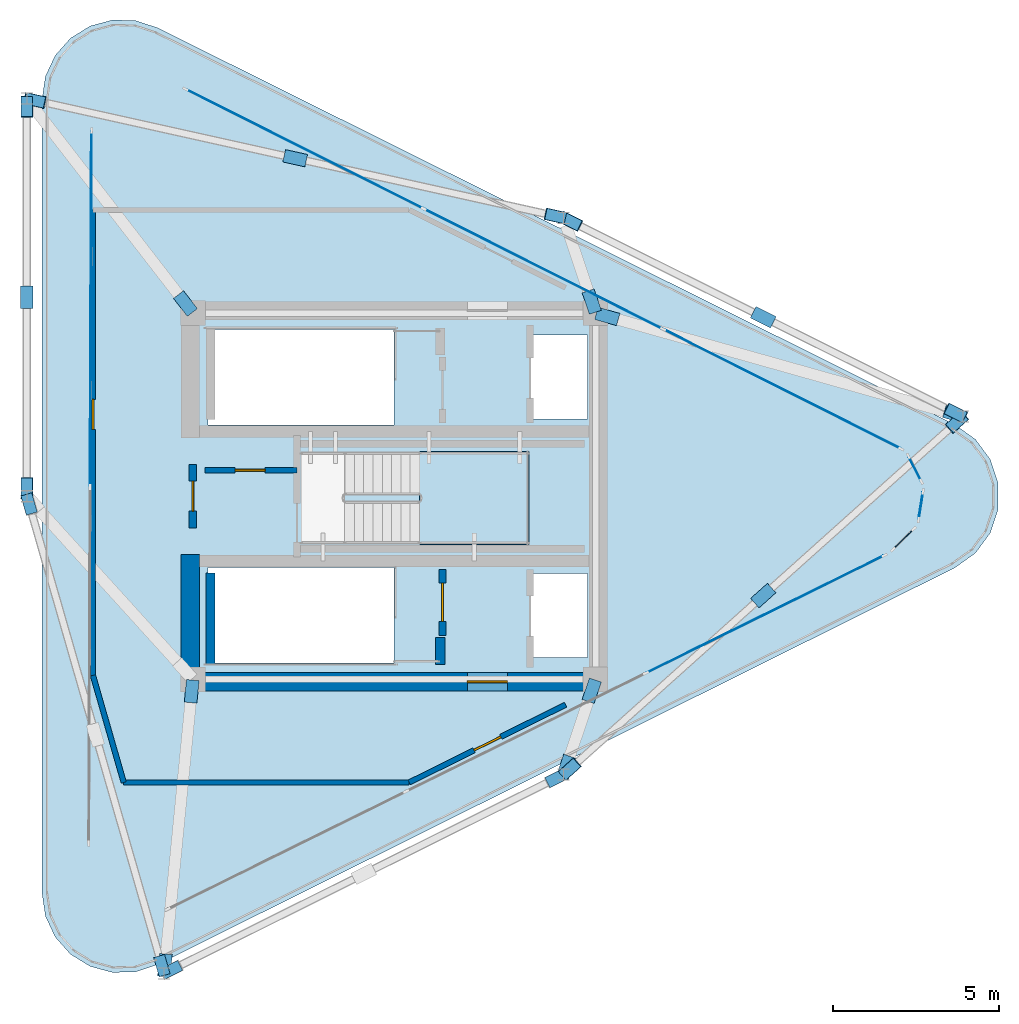
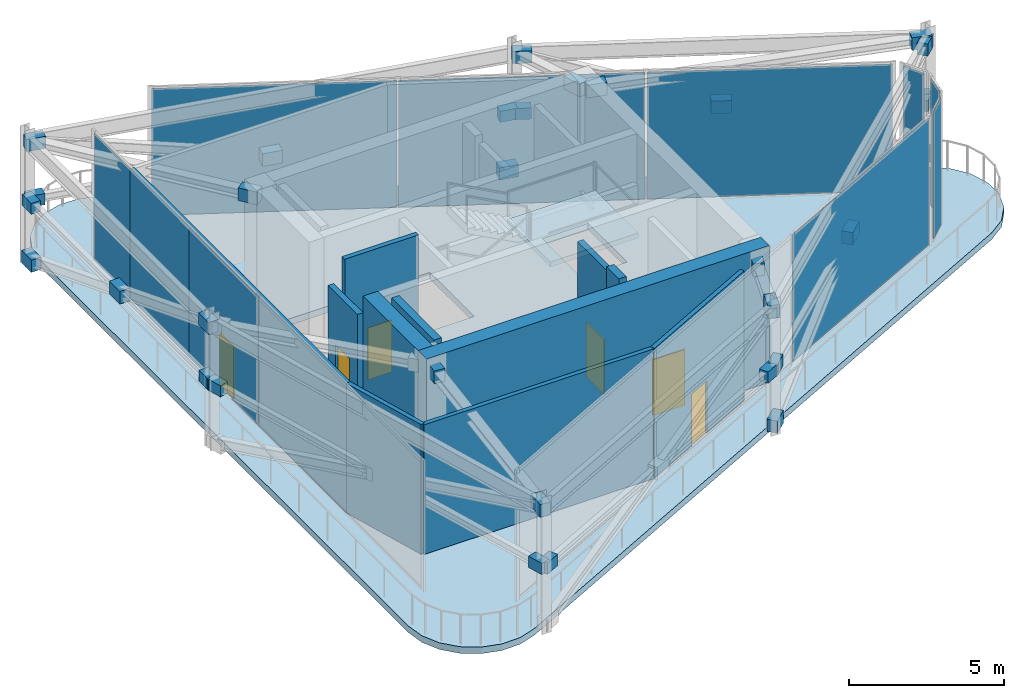
# One storey, part 3 of 7: 40 plates, 11 walls, 6 doors, 2 slabs, 6 openings, 7 elements without a shape of their own.
"""IFC4 building model written with IfcOpenShell, lengths in metres."""

from ifc_helpers import new_model, si_unit, direction, frame, frame_2d, origin, origin_2d, place, context, subcontext, project, spatial, polyline, rectangle, outline, extrude, source, transform, mapped, material, layer, layer_set, type_object, element, fill, aggregate, save


model = new_model("IFC4")

# Units and contexts
model_context = context("Model", 3, precision=1e-05, world=origin(), true_north=direction((0.0, 1.0)))
body_context = subcontext(model_context, "Body", "Model", "MODEL_VIEW")
ifc_project = project(units=[si_unit("LENGTHUNIT", "METRE"), si_unit("AREAUNIT", "SQUARE_METRE"), si_unit("VOLUMEUNIT", "CUBIC_METRE"), si_unit("PLANEANGLEUNIT", "RADIAN"), si_unit("MASSUNIT", "GRAM", prefix="KILO")], contexts=[model_context])

# Site, building, storey
site_placement = place(None, origin())
site = spatial("IfcSite", under=ifc_project, at=site_placement, CompositionType="ELEMENT")
building_placement = place(site_placement, origin())
building = spatial("IfcBuilding", under=site, at=building_placement, Name="Yunling Apex Tower", CompositionType="ELEMENT")
storey_placement = place(building_placement, frame((0.0, 0.0, 322.85009765625)))
storey = spatial("IfcBuildingStorey", under=building, at=storey_placement, Name="C02", CompositionType="ELEMENT", Elevation=322.85009765625)

# Slab
ifc_material_1 = material(Name="Concrete C40", Category="concrete")
ifc_layer_1 = layer(ifc_material_1, 0.260009765625)
ifc_layer_set_1 = layer_set([ifc_layer_1], Name="Concrete C40")
slab_type_1 = type_object("IfcSlabType", Name="SL-CRN-1", PredefinedType="FLOOR", material=ifc_layer_set_1)
slab_1_placement = place(storey_placement, frame((0.0, 0.0, -0.260009765625)))
element("IfcSlab", 1, at=slab_1_placement, inside=storey, type_object=slab_type_1, Name="C02 Crown Plant & Maintenance Slab", PredefinedType="FLOOR", context=body_context, shape_type="SweptSolid", body=[
    extrude(outline(polyline([(-10.581787109375, -11.924560546875), (-10.481201171875, -12.61181640625), (-10.188232421875, -13.241455078125), (-9.727294921875, -13.7607421875), (-9.13671875, -14.12646484375), (-8.46630859375, -14.3076171875), (-7.772216796875, -14.28955078125), (-7.1123046875, -14.0732421875), (16.846435546875, -2.148681640625), (17.462646484375, -1.70849609375), (17.9111328125, -1.09814453125), (18.14697265625, -0.378662109375), (18.14697265625, 0.378662109375), (17.9111328125, 1.09814453125), (17.462646484375, 1.70849609375), (16.846435546875, 2.148681640625), (-7.1123046875, 14.0732421875), (-7.772216796875, 14.28955078125), (-8.46630859375, 14.3076171875), (-9.13671875, 14.12646484375), (-9.727294921875, 13.7607421875), (-10.188232421875, 13.241455078125), (-10.481201171875, 12.61181640625), (-10.581787109375, 11.924560546875), (-10.581787109375, -11.924560546875)]), holes=[polyline([(4.090087890625, -4.840087890625), (4.090087890625, -2.320068359375), (5.81005859375, -2.320068359375), (5.81005859375, -4.840087890625), (4.090087890625, -4.840087890625)]), polyline([(4.090087890625, 2.320068359375), (4.090087890625, 4.840087890625), (5.81005859375, 4.840087890625), (5.81005859375, 2.320068359375), (4.090087890625, 2.320068359375)]), polyline([(-0.010009765625, -2.139892578125), (-0.010009765625, -5.010009765625), (-5.60009765625, -5.010009765625), (-5.60009765625, -2.139892578125), (-0.010009765625, -2.139892578125)]), polyline([(-0.010009765625, 5.010009765625), (-0.010009765625, 2.139892578125), (-5.60009765625, 2.139892578125), (-5.60009765625, 5.010009765625), (-0.010009765625, 5.010009765625)])]), origin(), (0.0, 0.0, 1.0), 0.260009765625),
])

# Stair, slab
stair_type = type_object("IfcStairType", Name="ST-CRN-1", PredefinedType="STRAIGHT_RUN_STAIR", material=ifc_material_1)
stair_placement = place(storey_placement, origin())
stair = element("IfcStair", 2, at=stair_placement, inside=storey, type_object=stair_type, Name="C02 Crown Maintenance Access Stair ST-C1", PredefinedType="HALF_TURN_STAIR")
ifc_layer_2 = layer(ifc_material_1, 0.195068359375)
ifc_layer_set_2 = layer_set([ifc_layer_2], Name="Concrete C40")
slab_type_2 = type_object("IfcSlabType", Name="SL-LND-1", PredefinedType="LANDING", material=ifc_layer_set_2)
slab_2_placement = place(storey_placement, frame((0.0, 0.0, 3.85498046875)))
slab_2 = element("IfcSlab", 3, at=slab_2_placement, type_object=slab_type_2, Name="ST-C1 landing 3", PredefinedType="LANDING", context=body_context, shape_type="SweptSolid", body=[
    extrude(outline(polyline([(0.760009765625, -1.449951171875), (4.050048828125, -1.449951171875), (4.050048828125, 1.340087890625), (0.760009765625, 1.340087890625), (0.760009765625, -1.449951171875)])), origin(), (0.0, 0.0, 1.0), 0.19482421875),
])
aggregate(stair, [slab_2])

# Plates
ifc_material_2 = material(Name="Steel Q355B", Category="steel")
ifc_layer_3 = layer(ifc_material_2, 0.031982421875)
ifc_layer_set_3 = layer_set([ifc_layer_3], Name="Steel Q355B")
plate_type_1 = type_object("IfcPlateType", Name="NP-GUS-2", PredefinedType="USERDEFINED", material=ifc_layer_set_3)
shared_shape_1 = source(origin(), body_context, "Body", "SweptSolid", [
    extrude(rectangle(XDim=0.64990234375, YDim=0.360107421875, at=origin_2d()), origin(), (0.0, 0.0, 1.0), 0.47998046875),
])
for number, where, z_axis, x_axis, name in (
    (4, (5.2666015625, -8.20263671875, 0.059814453125), (0.0, 0.0, 1.0), (0.744661120495, 0.66744274333, 0.0), "C02 Crown Rafter Foot Gusset Plate 390"),
    (5, (16.906494140625, 2.22998046875, 4.5498046875), (0.0, 0.0, 1.0), (0.744661120495, 0.66744274333, 0.0), "C02 Crown Rafter Head Gusset Plate 391"),
    (6, (16.8701171875, 2.499267578125, 0.059814453125), (0.0, 0.0, 1.0), (-0.895245648325, 0.445572922377, 0.0), "C02 Crown Rafter Foot Gusset Plate 397"),
    (7, (5.302978515625, 8.25634765625, 4.5498046875), (0.0, 0.0, 1.0), (-0.895245648325, 0.445572922377, 0.0), "C02 Crown Rafter Head Gusset Plate 398"),
    (8, (4.85009765625, 8.41650390625, 0.059814453125), (0.0, 0.0, 1.0), (-0.976220395964, 0.216780392341, 0.0), "C02 Crown Rafter Foot Gusset Plate 404"),
    (9, (-10.801025390625, 11.892822265625, 4.5498046875), (0.0, 0.0, 1.0), (-0.976220395964, 0.216780392341, 0.0), "C02 Crown Rafter Head Gusset Plate 405"),
    (10, (-11.037353515625, 11.703369140625, 0.059814453125), (0.0, 0.0, 1.0), (0.0, -1.0, 0.0), "C02 Crown Rafter Foot Gusset Plate 410"),
    (11, (-11.037353515625, 0.241943359375, 4.5498046875), (0.0, 0.0, 1.0), (0.0, -1.0, 0.0), "C02 Crown Rafter Head Gusset Plate 411"),
):
    element("IfcPlate", number, at=place(storey_placement, frame(where, z_axis=z_axis, x_axis=x_axis)), inside=storey, type_object=plate_type_1, Name=name, ObjectType="GUSSET_PLATE", PredefinedType="USERDEFINED", context=body_context, shape_type="MappedRepresentation", body=[
        mapped(shared_shape_1, transform((0.0, 0.0, 0.0), scale=1.0)),
    ])
shared_shape_2 = source(origin(), body_context, "Body", "SweptSolid", [
    extrude(rectangle(XDim=0.679931640625, YDim=0.3798828125, at=origin_2d()), origin(), (0.0, 0.0, 1.0), 0.5),
])
for number, where, z_axis, x_axis, name in (
    (12, (-6.08544921875, -5.86328125, 4.58984375), (0.0, 0.0, 1.0), (-0.097235493922, -0.995261402206, 0.0), "C02 Crown Tie Strut Core Gusset Plate 388"),
    (13, (-6.890380859375, -14.095703125, 4.58984375), (0.0, 0.0, 1.0), (-0.097235493922, -0.995261402206, 0.0), "C02 Crown Tie Strut Perimeter Gusset Plate 389"),
    (14, (11.08642578125, -2.986328125, 2.294921875), (0.0, 0.0, 1.0), (0.744661120495, 0.66744274333, 0.0), "C02 Crown Rafter-Purlin Midpoint Gusset Plate 392"),
    (15, (5.93359375, -5.845947265625, 4.58984375), (0.0, 0.0, 1.0), (-0.318959309298, -0.94776841001, 0.0), "C02 Crown Tie Strut Core Gusset Plate 395"),
    (16, (5.16357421875, -8.134765625, 4.58984375), (0.0, 0.0, 1.0), (-0.318959309298, -0.94776841001, 0.0), "C02 Crown Tie Strut Perimeter Gusset Plate 396"),
    (17, (11.08642578125, 5.377685546875, 2.294921875), (0.0, 0.0, 1.0), (-0.895245648325, 0.445572922377, 0.0), "C02 Crown Rafter-Purlin Midpoint Gusset Plate 399"),
    (18, (6.4013671875, 5.40087890625, 4.58984375), (0.0, 0.0, 1.0), (0.962549928407, -0.271104473079, 0.0), "C02 Crown Tie Strut Core Gusset Plate 402"),
    (19, (16.853759765625, 2.45703125, 4.58984375), (0.0, 0.0, 1.0), (0.962549928407, -0.271104473079, 0.0), "C02 Crown Tie Strut Perimeter Gusset Plate 403"),
    (20, (-2.9755859375, 10.15478515625, 2.294921875), (0.0, 0.0, 1.0), (-0.976220395964, 0.216780392341, 0.0), "C02 Crown Rafter-Purlin Midpoint Gusset Plate 406"),
    (21, (5.93359375, 5.845947265625, 4.58984375), (0.0, 0.0, 1.0), (-0.318959309298, 0.94776841001, 0.0), "C02 Crown Tie Strut Core Gusset Plate 409"),
    (22, (-11.037353515625, 5.97265625, 2.294921875), (0.0, 0.0, 1.0), (0.0, -1.0, 0.0), "C02 Crown Rafter-Purlin Midpoint Gusset Plate 412"),
    (23, (-6.2734375, 5.788818359375, 4.58984375), (0.0, 0.0, 1.0), (-0.611941240013, 0.790903229713, 0.0), "C02 Crown Tie Strut Core Gusset Plate 415"),
):
    element("IfcPlate", number, at=place(storey_placement, frame(where, z_axis=z_axis, x_axis=x_axis)), inside=storey, type_object=plate_type_1, Name=name, ObjectType="GUSSET_PLATE", PredefinedType="USERDEFINED", context=body_context, shape_type="MappedRepresentation", body=[
        mapped(shared_shape_2, transform((0.0, 0.0, 0.0), scale=1.0)),
    ])
shared_shape_3 = source(origin(), body_context, "Body", "SweptSolid", [
    extrude(rectangle(XDim=0.60009765625, YDim=0.340087890625, at=origin_2d()), origin(), (0.0, 0.0, 1.0), 0.43994140625),
])
for number, where, z_axis, x_axis, name in (
    (24, (-6.697509765625, -14.22900390625, 2.324951171875), (0.0, 0.0, 1.0), (0.895245648325, 0.445572922377, 0.0), "C02 Crown Purlin Column Gusset Plate 386"),
    (25, (4.86962890625, -8.471923828125, 2.324951171875), (0.0, 0.0, 1.0), (0.895245648325, 0.445572922377, 0.0), "C02 Crown Purlin Column Gusset Plate 387"),
    (26, (5.2666015625, -8.20263671875, 2.324951171875), (0.0, 0.0, 1.0), (0.744661120495, 0.66744274333, 0.0), "C02 Crown Purlin Column Gusset Plate 393"),
    (27, (16.906494140625, 2.22998046875, 2.324951171875), (0.0, 0.0, 1.0), (0.744661120495, 0.66744274333, 0.0), "C02 Crown Purlin Column Gusset Plate 394"),
    (28, (16.8701171875, 2.499267578125, 2.324951171875), (0.0, 0.0, 1.0), (-0.895245648325, 0.445572922377, 0.0), "C02 Crown Purlin Column Gusset Plate 400"),
    (29, (5.302978515625, 8.25634765625, 2.324951171875), (0.0, 0.0, 1.0), (-0.895245648325, 0.445572922377, 0.0), "C02 Crown Purlin Column Gusset Plate 401"),
    (30, (4.85009765625, 8.41650390625, 2.324951171875), (0.0, 0.0, 1.0), (-0.976220395964, 0.216780392341, 0.0), "C02 Crown Purlin Column Gusset Plate 407"),
    (31, (-10.801025390625, 11.892822265625, 2.324951171875), (0.0, 0.0, 1.0), (-0.976220395964, 0.216780392341, 0.0), "C02 Crown Purlin Column Gusset Plate 408"),
    (32, (-11.037353515625, 11.703369140625, 2.324951171875), (0.0, 0.0, 1.0), (0.0, -1.0, 0.0), "C02 Crown Purlin Column Gusset Plate 413"),
    (33, (-11.037353515625, 0.241943359375, 2.324951171875), (0.0, 0.0, 1.0), (0.0, -1.0, 0.0), "C02 Crown Purlin Column Gusset Plate 414"),
    (34, (-10.970458984375, -0.232666015625, 2.324951171875), (0.0, 0.0, 1.0), (0.276476109834, -0.961020790978, 0.0), "C02 Crown Purlin Column Gusset Plate 418"),
    (35, (-6.98095703125, -14.10400390625, 2.324951171875), (0.0, 0.0, 1.0), (0.276476109834, -0.961020790978, 0.0), "C02 Crown Purlin Column Gusset Plate 419"),
):
    element("IfcPlate", number, at=place(storey_placement, frame(where, z_axis=z_axis, x_axis=x_axis)), inside=storey, type_object=plate_type_1, Name=name, ObjectType="GUSSET_PLATE", PredefinedType="USERDEFINED", context=body_context, shape_type="MappedRepresentation", body=[
        mapped(shared_shape_3, transform((0.0, 0.0, 0.0), scale=1.0)),
    ])

# Curtain wall, plate
ifc_material_3 = material(Name="Bronze anodised aluminium", Category="aluminium")
ifc_layer_4 = layer(ifc_material_3, 0.179931640625)
ifc_layer_set_4 = layer_set([ifc_layer_4], Name="Bronze anodised aluminium")
curtain_wall_type = type_object("IfcCurtainWallType", Name="CW-SYS-6", PredefinedType="NOTDEFINED", material=ifc_layer_set_4)
curtain_wall_1_placement = place(storey_placement, origin())
curtain_wall_1 = element("IfcCurtainWall", 36, at=curtain_wall_1_placement, inside=storey, type_object=curtain_wall_type, Name="CW-C02-01", PredefinedType="NOTDEFINED")
ifc_material_4 = material(Name="Bronze fritted laminated crown glass", Category="glass")
ifc_layer_5 = layer(ifc_material_4, 0.02587890625)
ifc_layer_set_5 = layer_set([ifc_layer_5], Name="Bronze fritted laminated crown glass")
plate_type_2 = type_object("IfcPlateType", Name="CW-PNL-6", PredefinedType="CURTAIN_PANEL", material=ifc_layer_set_5)
shared_shape_4 = source(origin(), body_context, "Body", "SweptSolid", [
    extrude(rectangle(XDim=10.656494140625, YDim=0.02587890625, at=origin_2d()), origin(), (0.0, 0.0, 1.0), 5.005615234375),
])
plate_1_placement = place(storey_placement, frame((-9.115478515625, 5.636962890625, 0.06689453125), z_axis=(0.0, 0.0, 1.0), x_axis=(0.003747590734, 0.999992977757, 0.0)))
plate_1 = element("IfcPlate", 37, at=plate_1_placement, type_object=plate_type_2, Name="CW-SYS-6 panel 2.1", PredefinedType="CURTAIN_PANEL", context=body_context, shape_type="MappedRepresentation", body=[
    mapped(shared_shape_4, transform((0.0, 0.0, 0.0), scale=1.0)),
])
aggregate(curtain_wall_1, [plate_1])

# Curtain wall, plates
curtain_wall_2_placement = place(storey_placement, origin())
curtain_wall_2 = element("IfcCurtainWall", 38, at=curtain_wall_2_placement, inside=storey, type_object=curtain_wall_type, Name="CW-C02-05", PredefinedType="NOTDEFINED")
shared_shape_5 = source(origin(), body_context, "Body", "SweptSolid", [
    extrude(rectangle(XDim=7.951904296875, YDim=0.02587890625, at=origin_2d()), origin(), (0.0, 0.0, 1.0), 5.005615234375),
])
plate_2_placement = place(storey_placement, frame((-2.697021484375, 10.433837890625, 0.06689453125), z_axis=(0.0, 0.0, 1.0), x_axis=(0.893466838495, -0.449129166844, 0.0)))
plate_2 = element("IfcPlate", 39, at=plate_2_placement, type_object=plate_type_2, Name="CW-SYS-6 panel 1.1", PredefinedType="CURTAIN_PANEL", context=body_context, shape_type="MappedRepresentation", body=[
    mapped(shared_shape_5, transform((0.0, 0.0, 0.0), scale=1.0)),
])
plate_3_placement = place(storey_placement, frame((11.652587890625, 3.220458984375, 0.06689453125), z_axis=(0.0, 0.0, 1.0), x_axis=(0.893466838495, -0.449129166844, 0.0)))
plate_3 = element("IfcPlate", 40, at=plate_3_placement, type_object=plate_type_2, Name="CW-SYS-6 panel 3.1", PredefinedType="CURTAIN_PANEL", context=body_context, shape_type="MappedRepresentation", body=[
    mapped(shared_shape_5, transform((0.0, 0.0, 0.0), scale=1.0)),
])
shared_shape_6 = source(origin(), body_context, "Body", "SweptSolid", [
    extrude(rectangle(XDim=7.989501953125, YDim=0.02587890625, at=origin_2d()), origin(), (0.0, 0.0, 1.0), 5.005615234375),
])
plate_4_placement = place(storey_placement, frame((4.477783203125, 6.8271484375, 0.06689453125), z_axis=(0.0, 0.0, 1.0), x_axis=(0.893466838495, -0.449129166844, 0.0)))
plate_4 = element("IfcPlate", 41, at=plate_4_placement, type_object=plate_type_2, Name="CW-SYS-6 panel 2.1", PredefinedType="CURTAIN_PANEL", context=body_context, shape_type="MappedRepresentation", body=[
    mapped(shared_shape_6, transform((0.0, 0.0, 0.0), scale=1.0)),
])
aggregate(curtain_wall_2, [plate_2, plate_4, plate_3])

# Curtain wall, plate
curtain_wall_3_placement = place(storey_placement, origin())
curtain_wall_3 = element("IfcCurtainWall", 42, at=curtain_wall_3_placement, inside=storey, type_object=curtain_wall_type, Name="CW-C02-06", PredefinedType="NOTDEFINED")
shared_shape_7 = source(origin(), body_context, "Body", "SweptSolid", [
    extrude(rectangle(XDim=0.807861328125, YDim=0.02587890625, at=origin_2d()), origin(), (0.0, 0.0, 1.0), 5.005615234375),
])
plate_5_placement = place(storey_placement, frame((15.642822265625, 0.824951171875, 0.06689453125), z_axis=(0.0, 0.0, 1.0), x_axis=(0.457582978226, -0.889166923608, 0.0)))
plate_5 = element("IfcPlate", 43, at=plate_5_placement, type_object=plate_type_2, Name="CW-SYS-6 panel 1.1", PredefinedType="CURTAIN_PANEL", context=body_context, shape_type="MappedRepresentation", body=[
    mapped(shared_shape_7, transform((0.0, 0.0, 0.0), scale=1.0)),
])
aggregate(curtain_wall_3, [plate_5])

curtain_wall_4_placement = place(storey_placement, origin())
curtain_wall_4 = element("IfcCurtainWall", 44, at=curtain_wall_4_placement, inside=storey, type_object=curtain_wall_type, Name="CW-C02-07", PredefinedType="NOTDEFINED")
plate_6_placement = place(storey_placement, frame((15.820068359375, -0.284423828125, 0.06689453125), z_axis=(0.0, 0.0, 1.0), x_axis=(-0.157787710703, -0.987473057025, 0.0)))
plate_6 = element("IfcPlate", 45, at=plate_6_placement, type_object=plate_type_2, Name="CW-SYS-6 panel 1.1", PredefinedType="CURTAIN_PANEL", context=body_context, shape_type="MappedRepresentation", body=[
    mapped(shared_shape_7, transform((0.0, 0.0, 0.0), scale=1.0)),
])
aggregate(curtain_wall_4, [plate_6])

curtain_wall_5_placement = place(storey_placement, origin())
curtain_wall_5 = element("IfcCurtainWall", 46, at=curtain_wall_5_placement, inside=storey, type_object=curtain_wall_type, Name="CW-C02-08", PredefinedType="NOTDEFINED")
shared_shape_8 = source(origin(), body_context, "Body", "SweptSolid", [
    extrude(rectangle(XDim=0.82373046875, YDim=0.02587890625, at=origin_2d()), origin(), (0.0, 0.0, 1.0), 5.005615234375),
])
plate_7_placement = place(storey_placement, frame((15.29931640625, -1.2880859375, 0.06689453125), z_axis=(0.0, 0.0, 1.0), x_axis=(-0.713340092352, -0.700818031048, 0.0)))
plate_7 = element("IfcPlate", 47, at=plate_7_placement, type_object=plate_type_2, Name="CW-SYS-6 panel 1.1", PredefinedType="CURTAIN_PANEL", context=body_context, shape_type="MappedRepresentation", body=[
    mapped(shared_shape_8, transform((0.0, 0.0, 0.0), scale=1.0)),
])
aggregate(curtain_wall_5, [plate_7])

curtain_wall_6_placement = place(storey_placement, origin())
curtain_wall_6 = element("IfcCurtainWall", 48, at=curtain_wall_6_placement, inside=storey, type_object=curtain_wall_type, Name="CW-C02-09", PredefinedType="NOTDEFINED")
shared_shape_9 = source(origin(), body_context, "Body", "SweptSolid", [
    extrude(rectangle(XDim=7.935546875, YDim=0.02587890625, at=origin_2d()), origin(), (0.0, 0.0, 1.0), 5.005615234375),
])
plate_8_placement = place(storey_placement, frame((11.14599609375, -3.546875, 0.06689453125), z_axis=(0.0, 0.0, 1.0), x_axis=(-0.896735689111, -0.442566496556, 0.0)))
plate_8 = element("IfcPlate", 49, at=plate_8_placement, type_object=plate_type_2, Name="CW-SYS-6 panel 1.1", PredefinedType="CURTAIN_PANEL", context=body_context, shape_type="MappedRepresentation", body=[
    mapped(shared_shape_9, transform((0.0, 0.0, 0.0), scale=1.0)),
])
aggregate(curtain_wall_6, [plate_8])

# Wall, opening, door
ifc_layer_6 = layer(ifc_material_1, 0.550048828125)
ifc_layer_set_6 = layer_set([ifc_layer_6], Name="Concrete C40")
wall_type_1 = type_object("IfcWallType", Name="WL-COR-3", PredefinedType="SHEAR", material=ifc_layer_set_6)
wall_1_placement = place(storey_placement, frame((-6.39990234375, -5.574951171875, 0.0), z_axis=(0.0, 0.0, 1.0), x_axis=(1.0, 0.0, 0.0)))
wall_1 = element("IfcWall", 50, at=wall_1_placement, inside=storey, type_object=wall_type_1, Name="C02 South Core Shear Wall", PredefinedType="SHEAR", context=body_context, shape_type="SweptSolid", body=[
    extrude(rectangle(XDim=12.7998046875, YDim=0.550048828125, at=frame_2d((6.39990234375, 0.0))), origin(), (0.0, 0.0, 1.0), 5.39990234375),
])
opening_1_placement = place(wall_1_placement, frame((8.60009765625, 0.0, 0.0)))
opening_1 = element("IfcOpeningElement", 51, at=opening_1_placement, cuts=wall_1, Name="Opening DR-FFL-1", PredefinedType="OPENING", context=body_context, shape_type="SweptSolid", body=[
    extrude(rectangle(XDim=1.199951171875, YDim=2.199951171875, at=frame_2d((0.60009765625, 1.10009765625))), frame((0.0, 0.28515625, 0.0), z_axis=(0.0, -1.0, 0.0), x_axis=(1.0, 0.0, 0.0)), (0.0, 0.0, 1.0), 0.570068359375),
])
door_type_1 = type_object("IfcDoorType", Name="DR-FFL-1", OperationType="NOTDEFINED", PredefinedType="DOOR", material=ifc_material_2)
door_1_placement = place(opening_1_placement, origin())
door_1 = element("IfcDoor", 52, at=door_1_placement, inside=storey, type_object=door_type_1, Name="C02 South Firefighting Lobby Door", OperationType="SINGLE_SWING_RIGHT", OverallHeight=2.199951171875, OverallWidth=1.199951171875, PredefinedType="DOOR", context=body_context, shape_type="SweptSolid", body=[
    extrude(rectangle(XDim=1.199951171875, YDim=2.199951171875, at=frame_2d((0.60009765625, 1.10009765625))), frame((0.0, 0.02490234375, 0.0), z_axis=(0.0, -1.0, 0.0), x_axis=(1.0, 0.0, 0.0)), (0.0, 0.0, 1.0), 0.050048828125),
])
fill(opening_1, door_1)

# Walls
wall_2_placement = place(storey_placement, frame((-6.125, -5.300048828125, 0.0), z_axis=(0.0, 0.0, 1.0), x_axis=(0.0, 1.0, 0.0)))
element("IfcWall", 53, at=wall_2_placement, inside=storey, type_object=wall_type_1, Name="C02 West-South Core Shear Wall", PredefinedType="SHEAR", context=body_context, shape_type="SweptSolid", body=[
    extrude(rectangle(XDim=3.550048828125, YDim=0.550048828125, at=frame_2d((1.77490234375, 0.0))), origin(), (0.0, 0.0, 1.0), 5.39990234375),
])
ifc_layer_7 = layer(ifc_material_1, 0.280029296875)
ifc_layer_set_7 = layer_set([ifc_layer_7], Name="Concrete C40")
wall_type_2 = type_object("IfcWallType", Name="WL-COR-8", PredefinedType="SHEAR", material=ifc_layer_set_7)
wall_3_placement = place(storey_placement, frame((-5.52001953125, -5.050048828125, 0.0), z_axis=(0.0, 0.0, 1.0), x_axis=(0.0, 1.0, 0.0)))
element("IfcWall", 54, at=wall_3_placement, inside=storey, type_object=wall_type_2, Name="C02 ST-2 West Landing Bearing Wall", PredefinedType="SHEAR", context=body_context, shape_type="SweptSolid", body=[
    extrude(rectangle(XDim=2.75, YDim=0.280029296875, at=frame_2d((1.375, 0.0))), origin(), (0.0, 0.0, 1.0), 5.39990234375),
])
wall_4_placement = place(storey_placement, frame((1.3798828125, -5.050048828125, 0.0), z_axis=(0.0, 0.0, 1.0), x_axis=(0.0, 1.0, 0.0)))
element("IfcWall", 55, at=wall_4_placement, inside=storey, type_object=wall_type_2, Name="C02 ST-2 East Landing Bearing Pier", PredefinedType="SHEAR", context=body_context, shape_type="SweptSolid", body=[
    extrude(rectangle(XDim=0.800048828125, YDim=0.280029296875, at=frame_2d((0.39990234375, 0.0))), origin(), (0.0, 0.0, 1.0), 5.39990234375),
])
ifc_material_5 = material(Name="Gypsum board acoustic partition")
ifc_layer_8 = layer(ifc_material_5, 0.159912109375)
ifc_layer_set_8 = layer_set([ifc_layer_8], Name="Gypsum board acoustic partition")
wall_type_3 = type_object("IfcWallType", Name="WL-PRT-1", PredefinedType="PARTITIONING", material=ifc_layer_set_8)
wall_5_placement = place(storey_placement, frame((-8.126953125, -8.60009765625, 0.0), z_axis=(0.0, 0.0, 1.0), x_axis=(-0.276397565718, 0.961043383862, 0.0)))
element("IfcWall", 56, at=wall_5_placement, inside=storey, type_object=wall_type_3, Name="WL-C02-CPCR-01", PredefinedType="PARTITIONING", context=body_context, shape_type="SweptSolid", body=[
    extrude(rectangle(XDim=3.345947265625, YDim=0.159912109375, at=frame_2d((1.6728515625, 0.0))), origin(), (0.0, 0.0, 1.0), 5.119873046875),
])

# Wall, opening, door
wall_6_placement = place(storey_placement, frame((-9.0517578125, -5.384521484375, 0.0), z_axis=(0.0, 0.0, 1.0), x_axis=(0.0, 1.0, 0.0)))
wall_6 = element("IfcWall", 57, at=wall_6_placement, inside=storey, type_object=wall_type_3, Name="WL-C02-CPCR-02", PredefinedType="PARTITIONING", context=body_context, shape_type="SweptSolid", body=[
    extrude(rectangle(XDim=13.984619140625, YDim=0.159912109375, at=frame_2d((6.9921875, 0.0))), origin(), (0.0, 0.0, 1.0), 5.119873046875),
])
opening_2_placement = place(wall_6_placement, frame((7.39208984375, 0.0, 0.0)))
opening_2 = element("IfcOpeningElement", 58, at=opening_2_placement, cuts=wall_6, Name="Opening DR-SHF-1", PredefinedType="OPENING", context=body_context, shape_type="SweptSolid", body=[
    extrude(rectangle(XDim=0.89990234375, YDim=2.050048828125, at=frame_2d((0.449951171875, 1.02490234375))), frame((0.0, 0.08984375, 0.0), z_axis=(0.0, -1.0, 0.0), x_axis=(1.0, 0.0, 0.0)), (0.0, 0.0, 1.0), 0.179931640625),
])
door_type_2 = type_object("IfcDoorType", Name="DR-SHF-1", OperationType="NOTDEFINED", PredefinedType="DOOR", material=ifc_material_2)
door_2_placement = place(opening_2_placement, origin())
door_2 = element("IfcDoor", 59, at=door_2_placement, inside=storey, type_object=door_type_2, Name="C02 High-Zone Primary AHU Ventilation Plant Room Door", OperationType="SINGLE_SWING_LEFT", OverallHeight=2.050048828125, OverallWidth=0.89990234375, PredefinedType="DOOR", context=body_context, shape_type="SweptSolid", body=[
    extrude(rectangle(XDim=0.89990234375, YDim=2.050048828125, at=frame_2d((0.449951171875, 1.02490234375))), frame((0.0, 0.02490234375, 0.0), z_axis=(0.0, -1.0, 0.0), x_axis=(1.0, 0.0, 0.0)), (0.0, 0.0, 1.0), 0.050048828125),
])
fill(opening_2, door_2)

wall_7_placement = place(storey_placement, frame((5.14990234375, -6.260986328125, 0.0), z_axis=(0.0, 0.0, 1.0), x_axis=(-0.895225733131, -0.445612933766, 0.0)))
wall_7 = element("IfcWall", 60, at=wall_7_placement, inside=storey, type_object=wall_type_3, Name="WL-C02-CPCR-07", PredefinedType="PARTITIONING", context=body_context, shape_type="SweptSolid", body=[
    extrude(rectangle(XDim=5.249267578125, YDim=0.159912109375, at=frame_2d((2.62451171875, 0.0))), origin(), (0.0, 0.0, 1.0), 5.119873046875),
])
opening_3_placement = place(wall_7_placement, frame((2.1748046875, 0.0, 0.0)))
opening_3 = element("IfcOpeningElement", 61, at=opening_3_placement, cuts=wall_7, Name="Opening DR-SHF-1", PredefinedType="OPENING", context=body_context, shape_type="SweptSolid", body=[
    extrude(rectangle(XDim=0.89990234375, YDim=2.050048828125, at=frame_2d((0.449951171875, 1.02490234375))), frame((0.0, 0.08984375, 0.0), z_axis=(0.0, -1.0, 0.0), x_axis=(1.0, 0.0, 0.0)), (0.0, 0.0, 1.0), 0.179931640625),
])
door_3_placement = place(opening_3_placement, origin())
door_3 = element("IfcDoor", 62, at=door_3_placement, inside=storey, type_object=door_type_2, Name="C02 Rooftop Centrifugal Chiller Plant Room Door", OperationType="SINGLE_SWING_LEFT", OverallHeight=2.050048828125, OverallWidth=0.89990234375, PredefinedType="DOOR", context=body_context, shape_type="SweptSolid", body=[
    extrude(rectangle(XDim=0.89990234375, YDim=2.050048828125, at=frame_2d((0.449951171875, 1.02490234375))), frame((0.0, 0.02490234375, 0.0), z_axis=(0.0, -1.0, 0.0), x_axis=(1.0, 0.0, 0.0)), (0.0, 0.0, 1.0), 0.050048828125),
])
fill(opening_3, door_3)

# Wall
wall_8_placement = place(storey_placement, frame((0.45068359375, -8.60009765625, 0.0), z_axis=(0.0, 0.0, 1.0), x_axis=(-1.0, 0.0, 0.0)))
element("IfcWall", 63, at=wall_8_placement, inside=storey, type_object=wall_type_3, Name="WL-C02-CPCR-08", PredefinedType="PARTITIONING", context=body_context, shape_type="SweptSolid", body=[
    extrude(rectangle(XDim=8.57763671875, YDim=0.159912109375, at=frame_2d((4.288818359375, 0.0))), origin(), (0.0, 0.0, 1.0), 5.119873046875),
])

# Wall, opening, door
ifc_material_6 = material(Name="Autoclaved aerated concrete masonry", Category="masonry")
ifc_layer_9 = layer(ifc_material_6, 0.219970703125)
ifc_layer_set_9 = layer_set([ifc_layer_9], Name="Autoclaved aerated concrete masonry")
wall_type_4 = type_object("IfcWallType", Name="WL-SHF-1", PredefinedType="PLUMBINGWALL", material=ifc_layer_set_9)
wall_9_placement = place(storey_placement, frame((-6.050048828125, -0.949951171875, 0.0), z_axis=(0.0, 0.0, 1.0), x_axis=(0.0, 1.0, 0.0)))
wall_9 = element("IfcWall", 64, at=wall_9_placement, inside=storey, type_object=wall_type_4, Name="WL-COR-WPORT-C02", PredefinedType="PLUMBINGWALL", context=body_context, shape_type="SweptSolid", body=[
    extrude(rectangle(XDim=1.89990234375, YDim=0.219970703125, at=frame_2d((0.949951171875, 0.0))), origin(), (0.0, 0.0, 1.0), 4.099853515625),
])
opening_4_placement = place(wall_9_placement, frame((0.5, 0.0, 0.0)))
opening_4 = element("IfcOpeningElement", 65, at=opening_4_placement, cuts=wall_9, Name="Opening DR-SHF-1", PredefinedType="OPENING", context=body_context, shape_type="SweptSolid", body=[
    extrude(rectangle(XDim=0.89990234375, YDim=2.050048828125, at=frame_2d((0.449951171875, 1.02490234375))), frame((0.0, 0.1201171875, 0.0), z_axis=(0.0, -1.0, 0.0), x_axis=(1.0, 0.0, 0.0)), (0.0, 0.0, 1.0), 0.239990234375),
])
door_4_placement = place(opening_4_placement, origin())
door_4 = element("IfcDoor", 66, at=door_4_placement, inside=storey, type_object=door_type_2, Name="C02 Crown Transfer Lobby Door", OperationType="SINGLE_SWING_LEFT", OverallHeight=2.050048828125, OverallWidth=0.89990234375, PredefinedType="DOOR", context=body_context, shape_type="SweptSolid", body=[
    extrude(rectangle(XDim=0.89990234375, YDim=2.050048828125, at=frame_2d((0.449951171875, 1.02490234375))), frame((0.0, 0.02490234375, 0.0), z_axis=(0.0, -1.0, 0.0), x_axis=(1.0, 0.0, 0.0)), (0.0, 0.0, 1.0), 0.050048828125),
])
fill(opening_4, door_4)

wall_10_placement = place(storey_placement, frame((1.449951171875, -4.179931640625, 0.0), z_axis=(0.0, 0.0, 1.0), x_axis=(0.0, 1.0, 0.0)))
wall_10 = element("IfcWall", 67, at=wall_10_placement, inside=storey, type_object=wall_type_4, Name="WL-ST2-E-C02", PredefinedType="PLUMBINGWALL", context=body_context, shape_type="SweptSolid", body=[
    extrude(rectangle(XDim=1.97998046875, YDim=0.219970703125, at=frame_2d((0.989990234375, 0.0))), origin(), (0.0, 0.0, 1.0), 5.119873046875),
])
opening_5_placement = place(wall_10_placement, frame((0.419921875, 0.0, 0.0)))
opening_5 = element("IfcOpeningElement", 68, at=opening_5_placement, cuts=wall_10, Name="Opening DR-ST-1", PredefinedType="OPENING", context=body_context, shape_type="SweptSolid", body=[
    extrude(rectangle(XDim=1.14990234375, YDim=2.14990234375, at=frame_2d((0.574951171875, 1.074951171875))), frame((0.0, 0.1201171875, 0.0), z_axis=(0.0, -1.0, 0.0), x_axis=(1.0, 0.0, 0.0)), (0.0, 0.0, 1.0), 0.239990234375),
])
door_type_3 = type_object("IfcDoorType", Name="DR-ST-1", OperationType="NOTDEFINED", PredefinedType="DOOR", material=ifc_material_2)
door_5_placement = place(opening_5_placement, origin())
door_5 = element("IfcDoor", 69, at=door_5_placement, inside=storey, type_object=door_type_3, Name="C02 Stair ST-2 Fire Door", OperationType="SINGLE_SWING_RIGHT", OverallHeight=2.14990234375, OverallWidth=1.14990234375, PredefinedType="DOOR", context=body_context, shape_type="SweptSolid", body=[
    extrude(rectangle(XDim=1.14990234375, YDim=2.14990234375, at=frame_2d((0.574951171875, 1.074951171875))), frame((0.0, 0.02490234375, 0.0), z_axis=(0.0, -1.0, 0.0), x_axis=(1.0, 0.0, 0.0)), (0.0, 0.0, 1.0), 0.050048828125),
])
fill(opening_5, door_5)

ifc_layer_10 = layer(ifc_material_6, 0.179931640625)
ifc_layer_set_10 = layer_set([ifc_layer_10], Name="Autoclaved aerated concrete masonry")
wall_type_5 = type_object("IfcWallType", Name="WL-SHF-2", PredefinedType="PLUMBINGWALL", material=ifc_layer_set_10)
wall_11_placement = place(storey_placement, frame((-5.679931640625, 0.780029296875, 0.0), z_axis=(0.0, 0.0, 1.0), x_axis=(1.0, 0.0, 0.0)))
wall_11 = element("IfcWall", 70, at=wall_11_placement, inside=storey, type_object=wall_type_5, Name="WL-C02-SRVS", PredefinedType="PLUMBINGWALL", context=body_context, shape_type="SweptSolid", body=[
    extrude(rectangle(XDim=2.760009765625, YDim=0.179931640625, at=frame_2d((1.3798828125, 0.0))), origin(), (0.0, 0.0, 1.0), 5.119873046875),
])
opening_6_placement = place(wall_11_placement, frame((0.89990234375, 0.0, 0.0)))
opening_6 = element("IfcOpeningElement", 71, at=opening_6_placement, cuts=wall_11, Name="Opening DR-SHF-1", PredefinedType="OPENING", context=body_context, shape_type="SweptSolid", body=[
    extrude(rectangle(XDim=0.89990234375, YDim=2.050048828125, at=frame_2d((0.449951171875, 1.02490234375))), frame((0.0, 0.10009765625, 0.0), z_axis=(0.0, -1.0, 0.0), x_axis=(1.0, 0.0, 0.0)), (0.0, 0.0, 1.0), 0.199951171875),
])
door_6_placement = place(opening_6_placement, origin())
door_6 = element("IfcDoor", 72, at=door_6_placement, inside=storey, type_object=door_type_2, Name="C02 Crown Electrical Control Door", OperationType="SINGLE_SWING_LEFT", OverallHeight=2.050048828125, OverallWidth=0.89990234375, PredefinedType="DOOR", context=body_context, shape_type="SweptSolid", body=[
    extrude(rectangle(XDim=0.89990234375, YDim=2.050048828125, at=frame_2d((0.449951171875, 1.02490234375))), frame((0.0, 0.02490234375, 0.0), z_axis=(0.0, -1.0, 0.0), x_axis=(1.0, 0.0, 0.0)), (0.0, 0.0, 1.0), 0.050048828125),
])
fill(opening_6, door_6)

save(model, "model.ifc")
